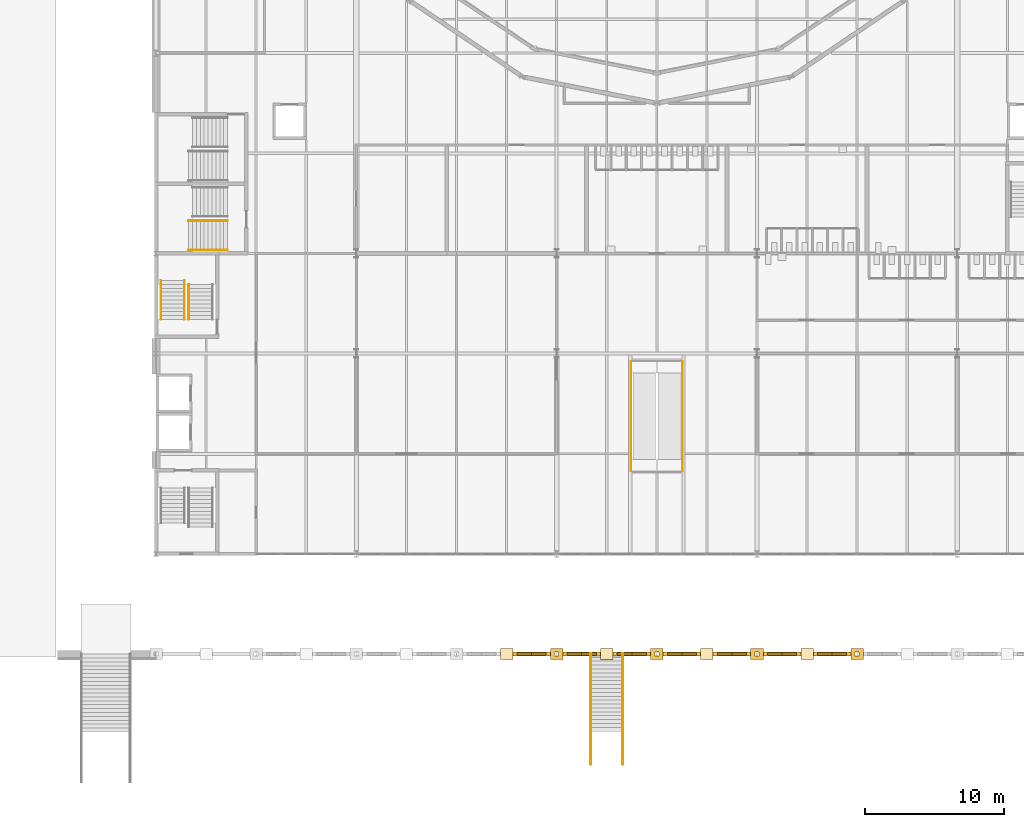
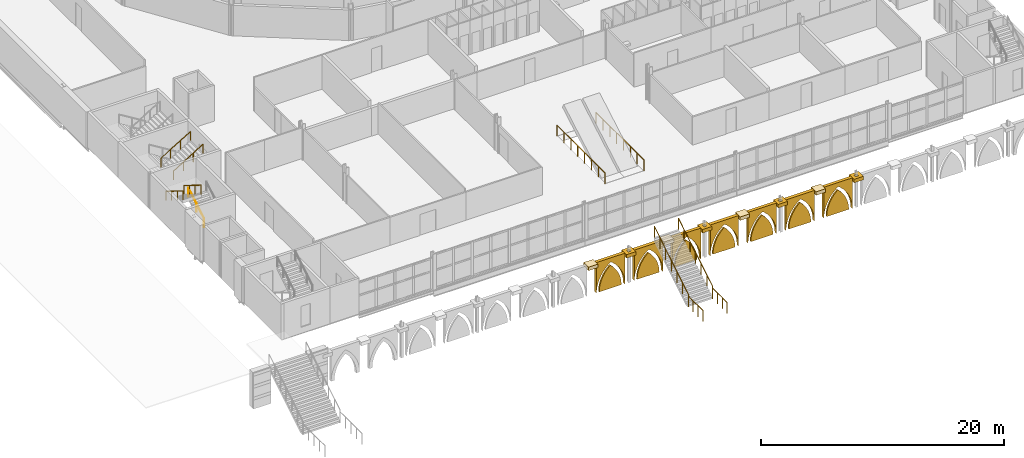
# One storey, part 79 of 90: 22 coverings, 11 railings.
"""IFC4 building model written with IfcOpenShell, lengths in metres."""

from ifc_helpers import new_model, si_unit, direction, frame, origin, origin_2d, place, context, subcontext, project, spatial, polyline, circle, outline, extrude, material, layer, layer_set, type_object, element, save


model = new_model("IFC4")

# Units and contexts
model_context = context("Model", 3, precision=1e-05, world=origin(), true_north=direction((0.0, 1.0)))
body_context = subcontext(model_context, "Body", "Model", "MODEL_VIEW")
ifc_project = project(units=[si_unit("LENGTHUNIT", "METRE"), si_unit("AREAUNIT", "SQUARE_METRE"), si_unit("VOLUMEUNIT", "CUBIC_METRE"), si_unit("PLANEANGLEUNIT", "RADIAN"), si_unit("MASSUNIT", "GRAM", prefix="KILO")], contexts=[model_context])

# Site, building, storey
site_placement = place(None, origin())
site = spatial("IfcSite", under=ifc_project, at=site_placement, CompositionType="ELEMENT")
building_placement = place(site_placement, origin())
building = spatial("IfcBuilding", under=site, at=building_placement, Name="Kupolbacken Congress Centre", CompositionType="ELEMENT")
storey_placement = place(building_placement, frame((0.0, 0.0, 3.60009765625)))
storey = spatial("IfcBuildingStorey", under=building, at=storey_placement, Name="L01", CompositionType="ELEMENT", Elevation=3.60009765625)

# Coverings
ifc_material_1 = material(Name="Limestone cladding", Category="masonry")
ifc_layer_1 = layer(ifc_material_1, 0.60009765625)
ifc_layer_set_1 = layer_set([ifc_layer_1], Name="Limestone cladding")
covering_type_1 = type_object("IfcCoveringType", Name="CV5 limestone arcade pier 600", PredefinedType="CLADDING", material=ifc_layer_set_1)
covering_1_placement = place(storey_placement, frame((0.0, 0.0, 2.77001953125)))
element("IfcCovering", 1, at=covering_1_placement, inside=storey, type_object=covering_type_1, Name="F/arc/pier/032.4/cap", PredefinedType="CLADDING", context=body_context, shape_type="SweptSolid", body=[
    extrude(outline(polyline([(31.949951171875, 21.199951171875), (32.85009765625, 21.199951171875), (32.85009765625, 22.0), (31.949951171875, 22.0), (31.949951171875, 21.199951171875)])), origin(), (0.0, 0.0, 1.0), 0.349853515625),
])
covering_2_placement = place(storey_placement, frame((0.0, 0.0, 2.77001953125)))
element("IfcCovering", 2, at=covering_2_placement, inside=storey, type_object=covering_type_1, Name="F/arc/pier/036.0/cap", PredefinedType="CLADDING", context=body_context, shape_type="SweptSolid", body=[
    extrude(outline(polyline([(35.550048828125, 21.199951171875), (36.449951171875, 21.199951171875), (36.449951171875, 22.0), (35.550048828125, 22.0), (35.550048828125, 21.199951171875)]), holes=[polyline([(35.860107421875, 21.4599609375), (36.139892578125, 21.4599609375), (36.139892578125, 21.739990234375), (35.860107421875, 21.739990234375), (35.860107421875, 21.4599609375)])]), origin(), (0.0, 0.0, 1.0), 0.349853515625),
])
covering_3_placement = place(storey_placement, frame((0.0, 0.0, 2.77001953125)))
element("IfcCovering", 3, at=covering_3_placement, inside=storey, type_object=covering_type_1, Name="F/arc/pier/039.6/cap", PredefinedType="CLADDING", context=body_context, shape_type="SweptSolid", body=[
    extrude(outline(polyline([(39.14990234375, 21.199951171875), (40.050048828125, 21.199951171875), (40.050048828125, 22.0), (39.14990234375, 22.0), (39.14990234375, 21.199951171875)])), origin(), (0.0, 0.0, 1.0), 0.349853515625),
])
covering_4_placement = place(storey_placement, frame((0.0, 0.0, 2.77001953125)))
element("IfcCovering", 4, at=covering_4_placement, inside=storey, type_object=covering_type_1, Name="F/arc/pier/043.2/cap", PredefinedType="CLADDING", context=body_context, shape_type="SweptSolid", body=[
    extrude(outline(polyline([(42.75, 21.199951171875), (43.64990234375, 21.199951171875), (43.64990234375, 22.0), (42.75, 22.0), (42.75, 21.199951171875)]), holes=[polyline([(43.06005859375, 21.4599609375), (43.340087890625, 21.4599609375), (43.340087890625, 21.739990234375), (43.06005859375, 21.739990234375), (43.06005859375, 21.4599609375)])]), origin(), (0.0, 0.0, 1.0), 0.349853515625),
])
covering_5_placement = place(storey_placement, frame((0.0, 0.0, 2.77001953125)))
element("IfcCovering", 5, at=covering_5_placement, inside=storey, type_object=covering_type_1, Name="F/arc/pier/046.8/cap", PredefinedType="CLADDING", context=body_context, shape_type="SweptSolid", body=[
    extrude(outline(polyline([(46.35009765625, 21.199951171875), (47.25, 21.199951171875), (47.25, 22.0), (46.35009765625, 22.0), (46.35009765625, 21.199951171875)])), origin(), (0.0, 0.0, 1.0), 0.349853515625),
])
covering_6_placement = place(storey_placement, frame((0.0, 0.0, 2.77001953125)))
element("IfcCovering", 6, at=covering_6_placement, inside=storey, type_object=covering_type_1, Name="F/arc/pier/050.4/cap", PredefinedType="CLADDING", context=body_context, shape_type="SweptSolid", body=[
    extrude(outline(polyline([(49.949951171875, 21.199951171875), (50.85009765625, 21.199951171875), (50.85009765625, 22.0), (49.949951171875, 22.0), (49.949951171875, 21.199951171875)]), holes=[polyline([(50.260009765625, 21.4599609375), (50.5400390625, 21.4599609375), (50.5400390625, 21.739990234375), (50.260009765625, 21.739990234375), (50.260009765625, 21.4599609375)])]), origin(), (0.0, 0.0, 1.0), 0.349853515625),
])
covering_7_placement = place(storey_placement, frame((0.0, 0.0, 2.77001953125)))
element("IfcCovering", 7, at=covering_7_placement, inside=storey, type_object=covering_type_1, Name="F/arc/pier/054.0/cap", PredefinedType="CLADDING", context=body_context, shape_type="SweptSolid", body=[
    extrude(outline(polyline([(53.550048828125, 21.199951171875), (54.449951171875, 21.199951171875), (54.449951171875, 22.0), (53.550048828125, 22.0), (53.550048828125, 21.199951171875)])), origin(), (0.0, 0.0, 1.0), 0.349853515625),
])
covering_8_placement = place(storey_placement, frame((0.0, 0.0, 2.77001953125)))
element("IfcCovering", 8, at=covering_8_placement, inside=storey, type_object=covering_type_1, Name="F/arc/pier/057.6/cap", PredefinedType="CLADDING", context=body_context, shape_type="SweptSolid", body=[
    extrude(outline(polyline([(57.14990234375, 21.199951171875), (58.050048828125, 21.199951171875), (58.050048828125, 22.0), (57.14990234375, 22.0), (57.14990234375, 21.199951171875)]), holes=[polyline([(57.4599609375, 21.4599609375), (57.739990234375, 21.4599609375), (57.739990234375, 21.739990234375), (57.4599609375, 21.739990234375), (57.4599609375, 21.4599609375)])]), origin(), (0.0, 0.0, 1.0), 0.349853515625),
])
ifc_material_2 = material(Name="Limestone cladding", Category="masonry")
ifc_layer_2 = layer(ifc_material_2, 0.300048828125)
ifc_layer_set_2 = layer_set([ifc_layer_2], Name="Limestone cladding")
covering_type_2 = type_object("IfcCoveringType", Name="CV7 limestone arcade spandrel 300", PredefinedType="CLADDING", material=ifc_layer_set_2)
covering_9_placement = place(storey_placement, frame((32.85009765625, 21.449951171875, 0.02001953125), z_axis=(0.0, 1.0, 0.0), x_axis=(-1.0, 0.0, 0.0)))
element("IfcCovering", 9, at=covering_9_placement, inside=storey, type_object=covering_type_2, Name="F/arc/span/032.4", PredefinedType="CLADDING", context=body_context, shape_type="SweptSolid", body=[
    extrude(outline(polyline([(0.0, 0.0), (0.0, 3.10009765625), (-2.699951171875, 3.10009765625), (-2.699951171875, 0.0), (-2.692626953125, 0.223388671875), (-2.67041015625, 0.44580078125), (-2.633544921875, 0.666259765625), (-2.582275390625, 0.8837890625), (-2.5166015625, 1.097412109375), (-2.43701171875, 1.30615234375), (-2.34375, 1.50927734375), (-2.2373046875, 1.705810546875), (-2.117919921875, 1.894775390625), (-1.986328125, 2.075439453125), (-1.843017578125, 2.2470703125), (-1.68896484375, 2.408935546875), (-1.5244140625, 2.56005859375), (-1.35009765625, 2.699951171875), (-1.17578125, 2.56005859375), (-1.010986328125, 2.408935546875), (-0.85693359375, 2.2470703125), (-0.713623046875, 2.075439453125), (-0.58203125, 1.894775390625), (-0.462890625, 1.705810546875), (-0.356201171875, 1.50927734375), (-0.262939453125, 1.30615234375), (-0.183349609375, 1.097412109375), (-0.117919921875, 0.8837890625), (-0.06640625, 0.666259765625), (-0.029541015625, 0.44580078125), (-0.00732421875, 0.223388671875), (0.0, 0.0)])), origin(), (0.0, 0.0, 1.0), 0.300048828125),
])
covering_10_placement = place(storey_placement, frame((32.85009765625, 21.52490234375, 0.02001953125), z_axis=(0.0, 1.0, 0.0), x_axis=(-1.0, 0.0, 0.0)))
element("IfcCovering", 10, at=covering_10_placement, inside=storey, type_object=covering_type_2, Name="F/arc/tymp/032.4", PredefinedType="CLADDING", context=body_context, shape_type="SweptSolid", body=[
    extrude(outline(polyline([(-0.300048828125, 0.0), (-0.3056640625, 0.18701171875), (-0.32275390625, 0.373291015625), (-0.35107421875, 0.55810546875), (-0.390625, 0.7412109375), (-0.441162109375, 0.921142578125), (-0.502685546875, 1.097900390625), (-0.57470703125, 1.2705078125), (-0.6572265625, 1.4384765625), (-0.749755859375, 1.60107421875), (-0.85205078125, 1.7578125), (-0.96337890625, 1.907958984375), (-1.083984375, 2.051025390625), (-1.212890625, 2.186767578125), (-1.35009765625, 2.314208984375), (-1.487060546875, 2.186767578125), (-1.615966796875, 2.051025390625), (-1.736572265625, 1.907958984375), (-1.847900390625, 1.7578125), (-1.9501953125, 1.60107421875), (-2.042724609375, 1.4384765625), (-2.125244140625, 1.2705078125), (-2.197265625, 1.097900390625), (-2.2587890625, 0.921142578125), (-2.309326171875, 0.7412109375), (-2.348876953125, 0.55810546875), (-2.377197265625, 0.373291015625), (-2.394287109375, 0.18701171875), (-2.39990234375, 0.0), (-0.300048828125, 0.0)])), origin(), (0.0, 0.0, 1.0), 0.14990234375),
])
covering_11_placement = place(storey_placement, frame((36.449951171875, 21.449951171875, 0.02001953125), z_axis=(0.0, 1.0, 0.0), x_axis=(-1.0, 0.0, 0.0)))
element("IfcCovering", 11, at=covering_11_placement, inside=storey, type_object=covering_type_2, Name="F/arc/span/036.0", PredefinedType="CLADDING", context=body_context, shape_type="SweptSolid", body=[
    extrude(outline(polyline([(0.0, 0.0), (0.0, 3.10009765625), (-2.699951171875, 3.10009765625), (-2.699951171875, 0.0), (-2.692626953125, 0.223388671875), (-2.67041015625, 0.44580078125), (-2.633544921875, 0.666259765625), (-2.582275390625, 0.8837890625), (-2.5166015625, 1.097412109375), (-2.43701171875, 1.30615234375), (-2.34375, 1.50927734375), (-2.2373046875, 1.705810546875), (-2.117919921875, 1.894775390625), (-1.986328125, 2.075439453125), (-1.843017578125, 2.2470703125), (-1.68896484375, 2.408935546875), (-1.5244140625, 2.56005859375), (-1.35009765625, 2.699951171875), (-1.17578125, 2.56005859375), (-1.010986328125, 2.408935546875), (-0.85693359375, 2.2470703125), (-0.713623046875, 2.075439453125), (-0.58203125, 1.894775390625), (-0.462890625, 1.705810546875), (-0.356201171875, 1.50927734375), (-0.262939453125, 1.30615234375), (-0.183349609375, 1.097412109375), (-0.117919921875, 0.8837890625), (-0.06640625, 0.666259765625), (-0.029541015625, 0.44580078125), (-0.00732421875, 0.223388671875), (0.0, 0.0)])), origin(), (0.0, 0.0, 1.0), 0.300048828125),
])
covering_12_placement = place(storey_placement, frame((36.449951171875, 21.52490234375, 0.02001953125), z_axis=(0.0, 1.0, 0.0), x_axis=(-1.0, 0.0, 0.0)))
element("IfcCovering", 12, at=covering_12_placement, inside=storey, type_object=covering_type_2, Name="F/arc/tymp/036.0", PredefinedType="CLADDING", context=body_context, shape_type="SweptSolid", body=[
    extrude(outline(polyline([(-0.300048828125, 0.0), (-0.3056640625, 0.18701171875), (-0.32275390625, 0.373291015625), (-0.35107421875, 0.55810546875), (-0.390625, 0.7412109375), (-0.441162109375, 0.921142578125), (-0.502685546875, 1.097900390625), (-0.57470703125, 1.2705078125), (-0.6572265625, 1.4384765625), (-0.749755859375, 1.60107421875), (-0.85205078125, 1.7578125), (-0.96337890625, 1.907958984375), (-1.083984375, 2.051025390625), (-1.212890625, 2.186767578125), (-1.35009765625, 2.314208984375), (-1.487060546875, 2.186767578125), (-1.615966796875, 2.051025390625), (-1.736572265625, 1.907958984375), (-1.847900390625, 1.7578125), (-1.9501953125, 1.60107421875), (-2.042724609375, 1.4384765625), (-2.125244140625, 1.2705078125), (-2.197265625, 1.097900390625), (-2.2587890625, 0.921142578125), (-2.309326171875, 0.7412109375), (-2.348876953125, 0.55810546875), (-2.377197265625, 0.373291015625), (-2.394287109375, 0.18701171875), (-2.39990234375, 0.0), (-0.300048828125, 0.0)])), origin(), (0.0, 0.0, 1.0), 0.14990234375),
])
covering_13_placement = place(storey_placement, frame((40.050048828125, 21.449951171875, 0.02001953125), z_axis=(0.0, 1.0, 0.0), x_axis=(-1.0, 0.0, 0.0)))
element("IfcCovering", 13, at=covering_13_placement, inside=storey, type_object=covering_type_2, Name="F/arc/span/039.6", PredefinedType="CLADDING", context=body_context, shape_type="SweptSolid", body=[
    extrude(outline(polyline([(0.0, 0.0), (0.0, 3.10009765625), (-2.699951171875, 3.10009765625), (-2.699951171875, 0.0), (-2.692626953125, 0.223388671875), (-2.67041015625, 0.44580078125), (-2.633544921875, 0.666259765625), (-2.582275390625, 0.8837890625), (-2.5166015625, 1.097412109375), (-2.43701171875, 1.30615234375), (-2.34375, 1.50927734375), (-2.2373046875, 1.705810546875), (-2.117919921875, 1.894775390625), (-1.986328125, 2.075439453125), (-1.843017578125, 2.2470703125), (-1.68896484375, 2.408935546875), (-1.5244140625, 2.56005859375), (-1.35009765625, 2.699951171875), (-1.17578125, 2.56005859375), (-1.010986328125, 2.408935546875), (-0.85693359375, 2.2470703125), (-0.713623046875, 2.075439453125), (-0.58203125, 1.894775390625), (-0.462890625, 1.705810546875), (-0.356201171875, 1.50927734375), (-0.262939453125, 1.30615234375), (-0.183349609375, 1.097412109375), (-0.117919921875, 0.8837890625), (-0.06640625, 0.666259765625), (-0.029541015625, 0.44580078125), (-0.00732421875, 0.223388671875), (0.0, 0.0)])), origin(), (0.0, 0.0, 1.0), 0.300048828125),
])
covering_14_placement = place(storey_placement, frame((40.050048828125, 21.52490234375, 0.02001953125), z_axis=(0.0, 1.0, 0.0), x_axis=(-1.0, 0.0, 0.0)))
element("IfcCovering", 14, at=covering_14_placement, inside=storey, type_object=covering_type_2, Name="F/arc/tymp/039.6", PredefinedType="CLADDING", context=body_context, shape_type="SweptSolid", body=[
    extrude(outline(polyline([(-0.300048828125, 0.0), (-0.3056640625, 0.18701171875), (-0.32275390625, 0.373291015625), (-0.35107421875, 0.55810546875), (-0.390625, 0.7412109375), (-0.441162109375, 0.921142578125), (-0.502685546875, 1.097900390625), (-0.57470703125, 1.2705078125), (-0.6572265625, 1.4384765625), (-0.749755859375, 1.60107421875), (-0.85205078125, 1.7578125), (-0.96337890625, 1.907958984375), (-1.083984375, 2.051025390625), (-1.212890625, 2.186767578125), (-1.35009765625, 2.314208984375), (-1.487060546875, 2.186767578125), (-1.615966796875, 2.051025390625), (-1.736572265625, 1.907958984375), (-1.847900390625, 1.7578125), (-1.9501953125, 1.60107421875), (-2.042724609375, 1.4384765625), (-2.125244140625, 1.2705078125), (-2.197265625, 1.097900390625), (-2.2587890625, 0.921142578125), (-2.309326171875, 0.7412109375), (-2.348876953125, 0.55810546875), (-2.377197265625, 0.373291015625), (-2.394287109375, 0.18701171875), (-2.39990234375, 0.0), (-0.300048828125, 0.0)])), origin(), (0.0, 0.0, 1.0), 0.14990234375),
])
covering_15_placement = place(storey_placement, frame((43.64990234375, 21.449951171875, 0.02001953125), z_axis=(0.0, 1.0, 0.0), x_axis=(-1.0, 0.0, 0.0)))
element("IfcCovering", 15, at=covering_15_placement, inside=storey, type_object=covering_type_2, Name="F/arc/span/043.2", PredefinedType="CLADDING", context=body_context, shape_type="SweptSolid", body=[
    extrude(outline(polyline([(0.0, 0.0), (0.0, 3.10009765625), (-2.699951171875, 3.10009765625), (-2.699951171875, 0.0), (-2.692626953125, 0.223388671875), (-2.67041015625, 0.44580078125), (-2.633544921875, 0.666259765625), (-2.582275390625, 0.8837890625), (-2.5166015625, 1.097412109375), (-2.43701171875, 1.30615234375), (-2.34375, 1.50927734375), (-2.2373046875, 1.705810546875), (-2.117919921875, 1.894775390625), (-1.986328125, 2.075439453125), (-1.843017578125, 2.2470703125), (-1.68896484375, 2.408935546875), (-1.5244140625, 2.56005859375), (-1.35009765625, 2.699951171875), (-1.17578125, 2.56005859375), (-1.010986328125, 2.408935546875), (-0.85693359375, 2.2470703125), (-0.713623046875, 2.075439453125), (-0.58203125, 1.894775390625), (-0.462890625, 1.705810546875), (-0.356201171875, 1.50927734375), (-0.262939453125, 1.30615234375), (-0.183349609375, 1.097412109375), (-0.117919921875, 0.8837890625), (-0.06640625, 0.666259765625), (-0.029541015625, 0.44580078125), (-0.00732421875, 0.223388671875), (0.0, 0.0)])), origin(), (0.0, 0.0, 1.0), 0.300048828125),
])
covering_16_placement = place(storey_placement, frame((43.64990234375, 21.52490234375, 0.02001953125), z_axis=(0.0, 1.0, 0.0), x_axis=(-1.0, 0.0, 0.0)))
element("IfcCovering", 16, at=covering_16_placement, inside=storey, type_object=covering_type_2, Name="F/arc/tymp/043.2", PredefinedType="CLADDING", context=body_context, shape_type="SweptSolid", body=[
    extrude(outline(polyline([(-0.300048828125, 0.0), (-0.3056640625, 0.18701171875), (-0.32275390625, 0.373291015625), (-0.35107421875, 0.55810546875), (-0.390625, 0.7412109375), (-0.441162109375, 0.921142578125), (-0.502685546875, 1.097900390625), (-0.57470703125, 1.2705078125), (-0.6572265625, 1.4384765625), (-0.749755859375, 1.60107421875), (-0.85205078125, 1.7578125), (-0.96337890625, 1.907958984375), (-1.083984375, 2.051025390625), (-1.212890625, 2.186767578125), (-1.35009765625, 2.314208984375), (-1.487060546875, 2.186767578125), (-1.615966796875, 2.051025390625), (-1.736572265625, 1.907958984375), (-1.847900390625, 1.7578125), (-1.9501953125, 1.60107421875), (-2.042724609375, 1.4384765625), (-2.125244140625, 1.2705078125), (-2.197265625, 1.097900390625), (-2.2587890625, 0.921142578125), (-2.309326171875, 0.7412109375), (-2.348876953125, 0.55810546875), (-2.377197265625, 0.373291015625), (-2.394287109375, 0.18701171875), (-2.39990234375, 0.0), (-0.300048828125, 0.0)])), origin(), (0.0, 0.0, 1.0), 0.14990234375),
])
covering_17_placement = place(storey_placement, frame((47.25, 21.449951171875, 0.02001953125), z_axis=(0.0, 1.0, 0.0), x_axis=(-1.0, 0.0, 0.0)))
element("IfcCovering", 17, at=covering_17_placement, inside=storey, type_object=covering_type_2, Name="F/arc/span/046.8", PredefinedType="CLADDING", context=body_context, shape_type="SweptSolid", body=[
    extrude(outline(polyline([(0.0, 0.0), (0.0, 3.10009765625), (-2.699951171875, 3.10009765625), (-2.699951171875, 0.0), (-2.692626953125, 0.223388671875), (-2.67041015625, 0.44580078125), (-2.633544921875, 0.666259765625), (-2.582275390625, 0.8837890625), (-2.5166015625, 1.097412109375), (-2.43701171875, 1.30615234375), (-2.34375, 1.50927734375), (-2.2373046875, 1.705810546875), (-2.117919921875, 1.894775390625), (-1.986328125, 2.075439453125), (-1.843017578125, 2.2470703125), (-1.68896484375, 2.408935546875), (-1.5244140625, 2.56005859375), (-1.35009765625, 2.699951171875), (-1.17578125, 2.56005859375), (-1.010986328125, 2.408935546875), (-0.85693359375, 2.2470703125), (-0.713623046875, 2.075439453125), (-0.58203125, 1.894775390625), (-0.462890625, 1.705810546875), (-0.356201171875, 1.50927734375), (-0.262939453125, 1.30615234375), (-0.183349609375, 1.097412109375), (-0.117919921875, 0.8837890625), (-0.06640625, 0.666259765625), (-0.029541015625, 0.44580078125), (-0.00732421875, 0.223388671875), (0.0, 0.0)])), origin(), (0.0, 0.0, 1.0), 0.300048828125),
])
covering_18_placement = place(storey_placement, frame((47.25, 21.52490234375, 0.02001953125), z_axis=(0.0, 1.0, 0.0), x_axis=(-1.0, 0.0, 0.0)))
element("IfcCovering", 18, at=covering_18_placement, inside=storey, type_object=covering_type_2, Name="F/arc/tymp/046.8", PredefinedType="CLADDING", context=body_context, shape_type="SweptSolid", body=[
    extrude(outline(polyline([(-0.300048828125, 0.0), (-0.3056640625, 0.18701171875), (-0.32275390625, 0.373291015625), (-0.35107421875, 0.55810546875), (-0.390625, 0.7412109375), (-0.441162109375, 0.921142578125), (-0.502685546875, 1.097900390625), (-0.57470703125, 1.2705078125), (-0.6572265625, 1.4384765625), (-0.749755859375, 1.60107421875), (-0.85205078125, 1.7578125), (-0.96337890625, 1.907958984375), (-1.083984375, 2.051025390625), (-1.212890625, 2.186767578125), (-1.35009765625, 2.314208984375), (-1.487060546875, 2.186767578125), (-1.615966796875, 2.051025390625), (-1.736572265625, 1.907958984375), (-1.847900390625, 1.7578125), (-1.9501953125, 1.60107421875), (-2.042724609375, 1.4384765625), (-2.125244140625, 1.2705078125), (-2.197265625, 1.097900390625), (-2.2587890625, 0.921142578125), (-2.309326171875, 0.7412109375), (-2.348876953125, 0.55810546875), (-2.377197265625, 0.373291015625), (-2.394287109375, 0.18701171875), (-2.39990234375, 0.0), (-0.300048828125, 0.0)])), origin(), (0.0, 0.0, 1.0), 0.14990234375),
])
covering_19_placement = place(storey_placement, frame((50.85009765625, 21.449951171875, 0.02001953125), z_axis=(0.0, 1.0, 0.0), x_axis=(-1.0, 0.0, 0.0)))
element("IfcCovering", 19, at=covering_19_placement, inside=storey, type_object=covering_type_2, Name="F/arc/span/050.4", PredefinedType="CLADDING", context=body_context, shape_type="SweptSolid", body=[
    extrude(outline(polyline([(0.0, 0.0), (0.0, 3.10009765625), (-2.699951171875, 3.10009765625), (-2.699951171875, 0.0), (-2.692626953125, 0.223388671875), (-2.67041015625, 0.44580078125), (-2.633544921875, 0.666259765625), (-2.582275390625, 0.8837890625), (-2.5166015625, 1.097412109375), (-2.43701171875, 1.30615234375), (-2.34375, 1.50927734375), (-2.2373046875, 1.705810546875), (-2.117919921875, 1.894775390625), (-1.986328125, 2.075439453125), (-1.843017578125, 2.2470703125), (-1.68896484375, 2.408935546875), (-1.5244140625, 2.56005859375), (-1.35009765625, 2.699951171875), (-1.17578125, 2.56005859375), (-1.010986328125, 2.408935546875), (-0.85693359375, 2.2470703125), (-0.713623046875, 2.075439453125), (-0.58203125, 1.894775390625), (-0.462890625, 1.705810546875), (-0.356201171875, 1.50927734375), (-0.262939453125, 1.30615234375), (-0.183349609375, 1.097412109375), (-0.117919921875, 0.8837890625), (-0.06640625, 0.666259765625), (-0.029541015625, 0.44580078125), (-0.00732421875, 0.223388671875), (0.0, 0.0)])), origin(), (0.0, 0.0, 1.0), 0.300048828125),
])
covering_20_placement = place(storey_placement, frame((50.85009765625, 21.52490234375, 0.02001953125), z_axis=(0.0, 1.0, 0.0), x_axis=(-1.0, 0.0, 0.0)))
element("IfcCovering", 20, at=covering_20_placement, inside=storey, type_object=covering_type_2, Name="F/arc/tymp/050.4", PredefinedType="CLADDING", context=body_context, shape_type="SweptSolid", body=[
    extrude(outline(polyline([(-0.300048828125, 0.0), (-0.3056640625, 0.18701171875), (-0.32275390625, 0.373291015625), (-0.35107421875, 0.55810546875), (-0.390625, 0.7412109375), (-0.441162109375, 0.921142578125), (-0.502685546875, 1.097900390625), (-0.57470703125, 1.2705078125), (-0.6572265625, 1.4384765625), (-0.749755859375, 1.60107421875), (-0.85205078125, 1.7578125), (-0.96337890625, 1.907958984375), (-1.083984375, 2.051025390625), (-1.212890625, 2.186767578125), (-1.35009765625, 2.314208984375), (-1.487060546875, 2.186767578125), (-1.615966796875, 2.051025390625), (-1.736572265625, 1.907958984375), (-1.847900390625, 1.7578125), (-1.9501953125, 1.60107421875), (-2.042724609375, 1.4384765625), (-2.125244140625, 1.2705078125), (-2.197265625, 1.097900390625), (-2.2587890625, 0.921142578125), (-2.309326171875, 0.7412109375), (-2.348876953125, 0.55810546875), (-2.377197265625, 0.373291015625), (-2.394287109375, 0.18701171875), (-2.39990234375, 0.0), (-0.300048828125, 0.0)])), origin(), (0.0, 0.0, 1.0), 0.14990234375),
])
covering_21_placement = place(storey_placement, frame((54.449951171875, 21.449951171875, 0.02001953125), z_axis=(0.0, 1.0, 0.0), x_axis=(-1.0, 0.0, 0.0)))
element("IfcCovering", 21, at=covering_21_placement, inside=storey, type_object=covering_type_2, Name="F/arc/span/054.0", PredefinedType="CLADDING", context=body_context, shape_type="SweptSolid", body=[
    extrude(outline(polyline([(0.0, 0.0), (0.0, 3.10009765625), (-2.699951171875, 3.10009765625), (-2.699951171875, 0.0), (-2.692626953125, 0.223388671875), (-2.67041015625, 0.44580078125), (-2.633544921875, 0.666259765625), (-2.582275390625, 0.8837890625), (-2.5166015625, 1.097412109375), (-2.43701171875, 1.30615234375), (-2.34375, 1.50927734375), (-2.2373046875, 1.705810546875), (-2.117919921875, 1.894775390625), (-1.986328125, 2.075439453125), (-1.843017578125, 2.2470703125), (-1.68896484375, 2.408935546875), (-1.5244140625, 2.56005859375), (-1.35009765625, 2.699951171875), (-1.17578125, 2.56005859375), (-1.010986328125, 2.408935546875), (-0.85693359375, 2.2470703125), (-0.713623046875, 2.075439453125), (-0.58203125, 1.894775390625), (-0.462890625, 1.705810546875), (-0.356201171875, 1.50927734375), (-0.262939453125, 1.30615234375), (-0.183349609375, 1.097412109375), (-0.117919921875, 0.8837890625), (-0.06640625, 0.666259765625), (-0.029541015625, 0.44580078125), (-0.00732421875, 0.223388671875), (0.0, 0.0)])), origin(), (0.0, 0.0, 1.0), 0.300048828125),
])
covering_22_placement = place(storey_placement, frame((54.449951171875, 21.52490234375, 0.02001953125), z_axis=(0.0, 1.0, 0.0), x_axis=(-1.0, 0.0, 0.0)))
element("IfcCovering", 22, at=covering_22_placement, inside=storey, type_object=covering_type_2, Name="F/arc/tymp/054.0", PredefinedType="CLADDING", context=body_context, shape_type="SweptSolid", body=[
    extrude(outline(polyline([(-0.300048828125, 0.0), (-0.3056640625, 0.18701171875), (-0.32275390625, 0.373291015625), (-0.35107421875, 0.55810546875), (-0.390625, 0.7412109375), (-0.441162109375, 0.921142578125), (-0.502685546875, 1.097900390625), (-0.57470703125, 1.2705078125), (-0.6572265625, 1.4384765625), (-0.749755859375, 1.60107421875), (-0.85205078125, 1.7578125), (-0.96337890625, 1.907958984375), (-1.083984375, 2.051025390625), (-1.212890625, 2.186767578125), (-1.35009765625, 2.314208984375), (-1.487060546875, 2.186767578125), (-1.615966796875, 2.051025390625), (-1.736572265625, 1.907958984375), (-1.847900390625, 1.7578125), (-1.9501953125, 1.60107421875), (-2.042724609375, 1.4384765625), (-2.125244140625, 1.2705078125), (-2.197265625, 1.097900390625), (-2.2587890625, 0.921142578125), (-2.309326171875, 0.7412109375), (-2.348876953125, 0.55810546875), (-2.377197265625, 0.373291015625), (-2.394287109375, 0.18701171875), (-2.39990234375, 0.0), (-0.300048828125, 0.0)])), origin(), (0.0, 0.0, 1.0), 0.14990234375),
])

# Railings
ifc_material_3 = material(Name="Steel S235", Category="steel")
railing_type_1 = type_object("IfcRailingType", Name="RL1 guard 1100 steel balustrade", PredefinedType="GUARDRAIL", material=ifc_material_3)
for number, where, name in (
    (23, (41.35009765625, 34.76220703125, 0.0), "C/esc/guard/L01/W"),
    (24, (45.050048828125, 34.76220703125, 0.0), "C/esc/guard/L01/E"),
):
    element("IfcRailing", number, at=place(storey_placement, frame(where)), inside=storey, type_object=railing_type_1, Name=name, PredefinedType="GUARDRAIL", context=body_context, shape_type="SweptSolid", body=[
        extrude(circle(Radius=0.02392578125, at=origin_2d()), frame((0.0, 0.0, 1.076171875), z_axis=(0.0, 1.0, 0.0), x_axis=(-1.0, 0.0, 0.0)), (0.0, 0.0, 1.0), 7.87548828125),
        extrude(circle(Radius=0.02099609375, at=origin_2d()), origin(), (0.0, 0.0, 1.0), 1.052001953125),
        extrude(circle(Radius=0.02099609375, at=origin_2d()), frame((0.0, 1.125, 0.0)), (0.0, 0.0, 1.0), 1.052001953125),
        extrude(circle(Radius=0.02099609375, at=origin_2d()), frame((0.0, 2.250244140625, 0.0)), (0.0, 0.0, 1.0), 1.052001953125),
        extrude(circle(Radius=0.02099609375, at=origin_2d()), frame((0.0, 3.375244140625, 0.0)), (0.0, 0.0, 1.0), 1.052001953125),
        extrude(circle(Radius=0.02099609375, at=origin_2d()), frame((0.0, 4.500244140625, 0.0)), (0.0, 0.0, 1.0), 1.052001953125),
        extrude(circle(Radius=0.02099609375, at=origin_2d()), frame((0.0, 5.625244140625, 0.0)), (0.0, 0.0, 1.0), 1.052001953125),
        extrude(circle(Radius=0.02099609375, at=origin_2d()), frame((0.0, 6.75048828125, 0.0)), (0.0, 0.0, 1.0), 1.052001953125),
        extrude(circle(Radius=0.02099609375, at=origin_2d()), frame((0.0, 7.87548828125, 0.0)), (0.0, 0.0, 1.0), 1.052001953125),
    ])
ifc_material_4 = material(Name="Steel S235", Category="steel")
railing_type_2 = type_object("IfcRailingType", Name="RL2 stair guard with handrail 900 / 1100", PredefinedType="GUARDRAIL", material=ifc_material_4)
for number, where, name in (
    (25, (38.449951171875, 16.050048828125, 0.17138671875), "C/xguard/XS4/XS4-B/W"),
    (26, (40.75, 16.050048828125, 0.17138671875), "C/xguard/XS4/XS4-B/E"),
):
    element("IfcRailing", number, at=place(storey_placement, frame(where)), inside=storey, type_object=railing_type_2, Name=name, PredefinedType="GUARDRAIL", context=body_context, shape_type="SweptSolid", body=[
        extrude(circle(Radius=0.02392578125, at=origin_2d()), frame((0.0, 0.0, 1.076171875), z_axis=(0.0, 0.852885433425, 0.522098110944), x_axis=(-1.0, 0.0, 0.0)), (0.0, 0.0, 1.0), 6.565673828125),
        extrude(circle(Radius=0.02099609375, at=origin_2d()), origin(), (0.0, 0.0, 1.0), 1.052001953125),
        extrude(circle(Radius=0.02099609375, at=origin_2d()), frame((0.0, 0.933349609375, 0.5712890625)), (0.0, 0.0, 1.0), 1.052001953125),
        extrude(circle(Radius=0.02099609375, at=origin_2d()), frame((0.0, 1.86669921875, 1.142578125)), (0.0, 0.0, 1.0), 1.052001953125),
        extrude(circle(Radius=0.02099609375, at=origin_2d()), frame((0.0, 2.7998046875, 1.7138671875)), (0.0, 0.0, 1.0), 1.052001953125),
        extrude(circle(Radius=0.02099609375, at=origin_2d()), frame((0.0, 3.733154296875, 2.285400390625)), (0.0, 0.0, 1.0), 1.052001953125),
        extrude(circle(Radius=0.02099609375, at=origin_2d()), frame((0.0, 4.66650390625, 2.856689453125)), (0.0, 0.0, 1.0), 1.052001953125),
        extrude(circle(Radius=0.02099609375, at=origin_2d()), frame((0.0, 5.599853515625, 3.427978515625)), (0.0, 0.0, 1.0), 1.052001953125),
    ])
for number, where, name in (
    (27, (38.449951171875, 13.64990234375, 0.0), "C/xguard/XS4/L1/W"),
    (28, (40.75, 13.64990234375, 0.0), "C/xguard/XS4/L1/E"),
):
    element("IfcRailing", number, at=place(storey_placement, frame(where)), inside=storey, type_object=railing_type_2, Name=name, PredefinedType="GUARDRAIL", context=body_context, shape_type="SweptSolid", body=[
        extrude(circle(Radius=0.02392578125, at=origin_2d()), frame((0.0, 0.0, 1.076171875), z_axis=(0.0, 1.0, 0.0), x_axis=(-1.0, 0.0, 0.0)), (0.0, 0.0, 1.0), 2.400146484375),
        extrude(circle(Radius=0.02099609375, at=origin_2d()), origin(), (0.0, 0.0, 1.0), 1.052001953125),
        extrude(circle(Radius=0.02099609375, at=origin_2d()), frame((0.0, 0.800048828125, 0.0)), (0.0, 0.0, 1.0), 1.052001953125),
        extrude(circle(Radius=0.02099609375, at=origin_2d()), frame((0.0, 1.60009765625, 0.0)), (0.0, 0.0, 1.0), 1.052001953125),
        extrude(circle(Radius=0.02099609375, at=origin_2d()), frame((0.0, 2.400146484375, 0.0)), (0.0, 0.0, 1.0), 1.052001953125),
    ])
ifc_material_5 = material(Name="Steel S235", Category="steel")
railing_type_3 = type_object("IfcRailingType", Name="RL3 handrail wall-mounted 900", PredefinedType="HANDRAIL", material=ifc_material_5)
railing_placement = place(storey_placement, frame((9.550048828125, 45.655029296875, 0.17138671875)))
element("IfcRailing", 29, at=railing_placement, inside=storey, type_object=railing_type_3, Name="C/stair/FS2W/L01/HR1L", PredefinedType="HANDRAIL", context=body_context, shape_type="SweptSolid", body=[
    extrude(circle(Radius=0.02392578125, at=origin_2d()), frame((0.0, 0.0, 0.8759765625), z_axis=(0.0, 0.852873080145, 0.522118290393), x_axis=(-1.0, 0.0, 0.0)), (0.0, 0.0, 1.0), 2.954833984375),
    extrude(circle(Radius=0.02099609375, at=origin_2d()), origin(), (0.0, 0.0, 1.0), 0.851806640625),
    extrude(circle(Radius=0.02099609375, at=origin_2d()), frame((0.0, 1.260009765625, 0.771484375)), (0.0, 0.0, 1.0), 0.851806640625),
    extrude(circle(Radius=0.02099609375, at=origin_2d()), frame((0.0, 2.52001953125, 1.542724609375)), (0.0, 0.0, 1.0), 0.851806640625),
])
for number, where, name in (
    (30, (9.25, 48.455078125, 1.885498046875), "C/stair/FS2W/L01/HR2L"),
    (31, (7.550048828125, 48.455078125, 1.885498046875), "C/stair/FS2W/L01/HR2R"),
):
    element("IfcRailing", number, at=place(storey_placement, frame(where)), inside=storey, type_object=railing_type_3, Name=name, PredefinedType="HANDRAIL", context=body_context, shape_type="SweptSolid", body=[
        extrude(circle(Radius=0.02392578125, at=origin_2d()), frame((0.0, 0.0, 0.8759765625), z_axis=(0.0, -0.852845897599, 0.522162690116), x_axis=(1.0, 0.0, 0.0)), (0.0, 0.0, 1.0), 3.283203125),
        extrude(circle(Radius=0.02099609375, at=origin_2d()), origin(), (0.0, 0.0, 1.0), 0.851806640625),
        extrude(circle(Radius=0.02099609375, at=origin_2d()), frame((0.0, -0.933349609375, 0.571533203125)), (0.0, 0.0, 1.0), 0.851806640625),
        extrude(circle(Radius=0.02099609375, at=origin_2d()), frame((0.0, -1.86669921875, 1.142822265625)), (0.0, 0.0, 1.0), 0.851806640625),
        extrude(circle(Radius=0.02099609375, at=origin_2d()), frame((0.0, -2.800048828125, 1.71435546875)), (0.0, 0.0, 1.0), 0.851806640625),
    ])
for number, where, name in (
    (32, (9.544921875, 52.75, 1.885498046875), "C/stair/PS1SW/L01/HR2L"),
    (33, (9.544921875, 50.64990234375, 1.885498046875), "C/stair/PS1SW/L01/HR2R"),
):
    element("IfcRailing", number, at=place(storey_placement, frame(where)), inside=storey, type_object=railing_type_3, Name=name, PredefinedType="HANDRAIL", context=body_context, shape_type="SweptSolid", body=[
        extrude(circle(Radius=0.02392578125, at=origin_2d()), frame((0.0, 0.0, 0.8759765625), z_axis=(0.852845897599, 0.0, 0.522162690116), x_axis=(0.0, 1.0, 0.0)), (0.0, 0.0, 1.0), 3.283203125),
        extrude(circle(Radius=0.02099609375, at=origin_2d()), origin(), (0.0, 0.0, 1.0), 0.851806640625),
        extrude(circle(Radius=0.02099609375, at=origin_2d()), frame((0.933349609375, 0.0, 0.571533203125)), (0.0, 0.0, 1.0), 0.851806640625),
        extrude(circle(Radius=0.02099609375, at=origin_2d()), frame((1.86669921875, 0.0, 1.142822265625)), (0.0, 0.0, 1.0), 0.851806640625),
        extrude(circle(Radius=0.02099609375, at=origin_2d()), frame((2.800048828125, 0.0, 1.71435546875)), (0.0, 0.0, 1.0), 0.851806640625),
    ])

save(model, "model.ifc")
